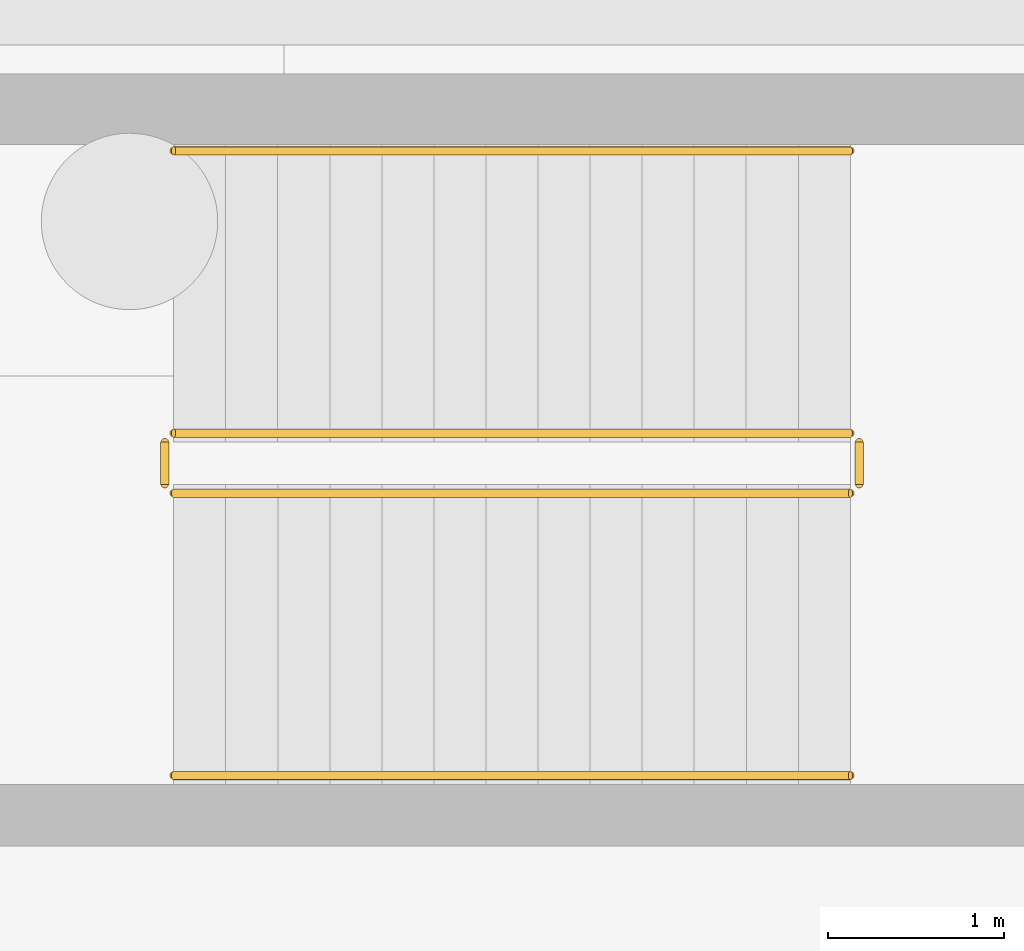
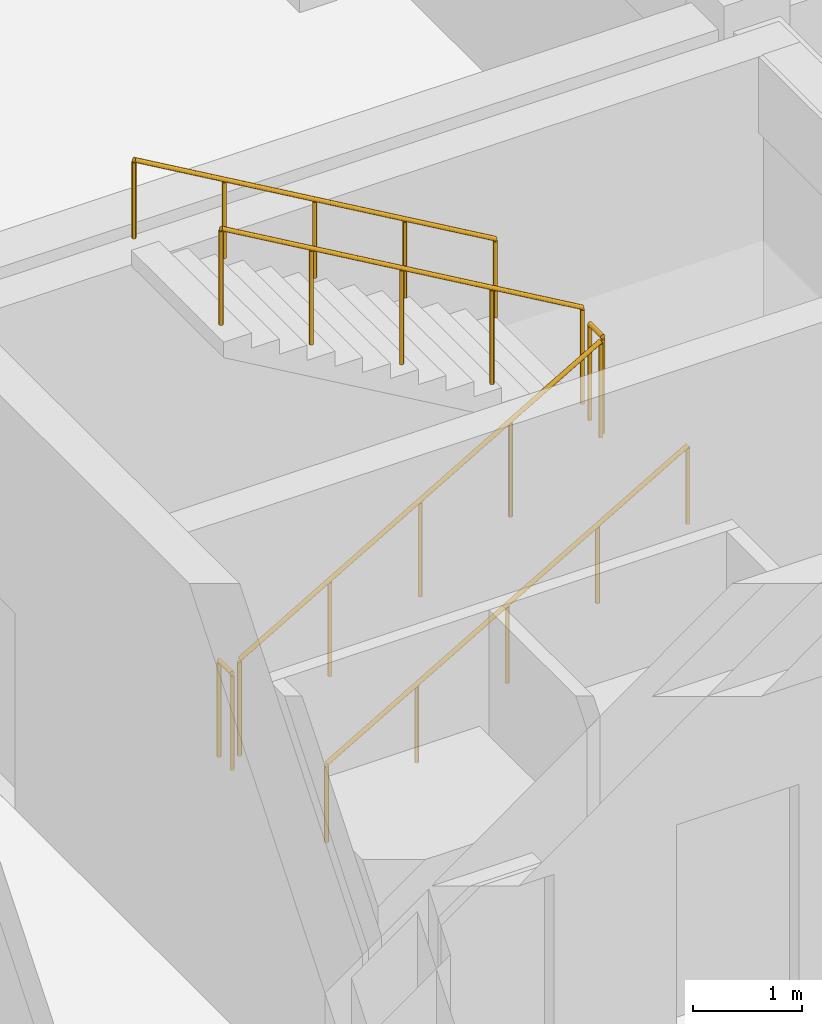
# One storey, part 31 of 35: 6 railings.
"""IFC4 building model written with IfcOpenShell, lengths in metres."""

from ifc_helpers import new_model, si_unit, direction, frame, origin, origin_2d, place, context, subcontext, project, spatial, circle, extrude, material, type_object, element, save


model = new_model("IFC4")

# Units and contexts
model_context = context("Model", 3, precision=1e-05, world=origin(), true_north=direction((0.0, 1.0)))
body_context = subcontext(model_context, "Body", "Model", "MODEL_VIEW")
ifc_project = project(units=[si_unit("LENGTHUNIT", "METRE"), si_unit("AREAUNIT", "SQUARE_METRE"), si_unit("VOLUMEUNIT", "CUBIC_METRE"), si_unit("PLANEANGLEUNIT", "RADIAN"), si_unit("MASSUNIT", "GRAM", prefix="KILO")], contexts=[model_context])

# Site, building, storey
site_placement = place(None, origin())
site = spatial("IfcSite", under=ifc_project, at=site_placement, CompositionType="ELEMENT")
building_placement = place(site_placement, origin())
building = spatial("IfcBuilding", under=site, at=building_placement, Name="Zayran Congress Hotel", CompositionType="ELEMENT")
storey_placement = place(building_placement, frame((0.0, 0.0, -4.800048828125)))
storey = spatial("IfcBuildingStorey", under=building, at=storey_placement, Name="B1", CompositionType="ELEMENT", Elevation=-4.800048828125)

# Railings
ifc_material_1 = material(Name="Painted steel balustrade", Category="steel")
railing_type_1 = type_object("IfcRailingType", Name="TP-GRD-INT", PredefinedType="GUARDRAIL", material=ifc_material_1)
railing_1_placement = place(storey_placement, frame((119.10009765625, 90.010009765625, 0.17138671875)))
element("IfcRailing", 1, at=railing_1_placement, inside=storey, type_object=railing_type_1, Name="B1 ST-07 stair guard 1", PredefinedType="GUARDRAIL", context=body_context, shape_type="SweptSolid", body=[
    extrude(circle(Radius=0.02392578125, at=origin_2d()), frame((0.0, 0.0, 1.076171875), z_axis=(0.864592272851, 0.0, 0.502474080651), x_axis=(0.0, 1.0, 0.0)), (0.0, 0.0, 1.0), 4.435546875),
    extrude(circle(Radius=0.02099609375, at=origin_2d()), origin(), (0.0, 0.0, 1.0), 1.052001953125),
    extrude(circle(Radius=0.02099609375, at=origin_2d()), frame((0.958740234375, 0.0, 0.55712890625)), (0.0, 0.0, 1.0), 1.052001953125),
    extrude(circle(Radius=0.02099609375, at=origin_2d()), frame((1.91748046875, 0.0, 1.1142578125)), (0.0, 0.0, 1.0), 1.052001953125),
    extrude(circle(Radius=0.02099609375, at=origin_2d()), frame((2.876220703125, 0.0, 1.671630859375)), (0.0, 0.0, 1.0), 1.052001953125),
    extrude(circle(Radius=0.02099609375, at=origin_2d()), frame((3.8349609375, 0.0, 2.228759765625)), (0.0, 0.0, 1.0), 1.052001953125),
])
railing_2_placement = place(storey_placement, frame((122.985107421875, 90.06005859375, 2.400146484375)))
element("IfcRailing", 2, at=railing_2_placement, inside=storey, type_object=railing_type_1, Name="B1 ST-07 stair guard 2", PredefinedType="GUARDRAIL", context=body_context, shape_type="SweptSolid", body=[
    extrude(circle(Radius=0.02392578125, at=origin_2d()), frame((0.0, 0.0, 1.076171875), z_axis=(0.0, 1.0, 0.0), x_axis=(-1.0, 0.0, 0.0)), (0.0, 0.0, 1.0), 0.239990234375),
    extrude(circle(Radius=0.02099609375, at=origin_2d()), origin(), (0.0, 0.0, 1.0), 1.052001953125),
    extrude(circle(Radius=0.02099609375, at=origin_2d()), frame((0.0, 0.239990234375, 0.0)), (0.0, 0.0, 1.0), 1.052001953125),
])
railing_3_placement = place(storey_placement, frame((122.93505859375, 90.35009765625, 2.571533203125)))
element("IfcRailing", 3, at=railing_3_placement, inside=storey, type_object=railing_type_1, Name="B1 ST-07 stair guard 3", PredefinedType="GUARDRAIL", context=body_context, shape_type="SweptSolid", body=[
    extrude(circle(Radius=0.02392578125, at=origin_2d()), frame((0.0, 0.0, 1.076171875), z_axis=(-0.86461618451, 0.0, 0.502432934314), x_axis=(0.0, -1.0, 0.0)), (0.0, 0.0, 1.0), 4.435546875),
    extrude(circle(Radius=0.02099609375, at=origin_2d()), origin(), (0.0, 0.0, 1.0), 1.052001953125),
    extrude(circle(Radius=0.02099609375, at=origin_2d()), frame((-0.958740234375, 0.0, 0.55712890625)), (0.0, 0.0, 1.0), 1.052001953125),
    extrude(circle(Radius=0.02099609375, at=origin_2d()), frame((-1.91748046875, 0.0, 1.1142578125)), (0.0, 0.0, 1.0), 1.052001953125),
    extrude(circle(Radius=0.02099609375, at=origin_2d()), frame((-2.876220703125, 0.0, 1.67138671875)), (0.0, 0.0, 1.0), 1.052001953125),
    extrude(circle(Radius=0.02099609375, at=origin_2d()), frame((-3.8349609375, 0.0, 2.228515625)), (0.0, 0.0, 1.0), 1.052001953125),
])
railing_4_placement = place(storey_placement, frame((119.050048828125, 90.06005859375, 0.0)))
element("IfcRailing", 4, at=railing_4_placement, inside=storey, type_object=railing_type_1, Name="B1 ST-07 stair guard 4", PredefinedType="GUARDRAIL", context=body_context, shape_type="SweptSolid", body=[
    extrude(circle(Radius=0.02392578125, at=origin_2d()), frame((0.0, 0.0, 1.076171875), z_axis=(0.0, 1.0, 0.0), x_axis=(-1.0, 0.0, 0.0)), (0.0, 0.0, 1.0), 0.239990234375),
    extrude(circle(Radius=0.02099609375, at=origin_2d()), origin(), (0.0, 0.0, 1.0), 1.052001953125),
    extrude(circle(Radius=0.02099609375, at=origin_2d()), frame((0.0, 0.239990234375, 0.0)), (0.0, 0.0, 1.0), 1.052001953125),
])
ifc_material_2 = material(Name="Brushed stainless steel handrail", Category="steel")
railing_type_2 = type_object("IfcRailingType", Name="TP-HND-STR", PredefinedType="HANDRAIL", material=ifc_material_2)
railing_5_placement = place(storey_placement, frame((119.10009765625, 88.409912109375, 0.17138671875)))
element("IfcRailing", 5, at=railing_5_placement, inside=storey, type_object=railing_type_2, Name="B1 ST-07 stair handrail 1", PredefinedType="HANDRAIL", context=body_context, shape_type="SweptSolid", body=[
    extrude(circle(Radius=0.02392578125, at=origin_2d()), frame((0.0, 0.0, 0.8759765625), z_axis=(0.864592272851, 0.0, 0.502474080651), x_axis=(0.0, 1.0, 0.0)), (0.0, 0.0, 1.0), 4.435546875),
    extrude(circle(Radius=0.02099609375, at=origin_2d()), origin(), (0.0, 0.0, 1.0), 0.851806640625),
    extrude(circle(Radius=0.02099609375, at=origin_2d()), frame((0.958740234375, 0.0, 0.55712890625)), (0.0, 0.0, 1.0), 0.851806640625),
    extrude(circle(Radius=0.02099609375, at=origin_2d()), frame((1.91748046875, 0.0, 1.1142578125)), (0.0, 0.0, 1.0), 0.851806640625),
    extrude(circle(Radius=0.02099609375, at=origin_2d()), frame((2.876220703125, 0.0, 1.671630859375)), (0.0, 0.0, 1.0), 0.851806640625),
    extrude(circle(Radius=0.02099609375, at=origin_2d()), frame((3.8349609375, 0.0, 2.228759765625)), (0.0, 0.0, 1.0), 0.851806640625),
])
railing_6_placement = place(storey_placement, frame((122.93505859375, 91.949951171875, 2.571533203125)))
element("IfcRailing", 6, at=railing_6_placement, inside=storey, type_object=railing_type_2, Name="B1 ST-07 stair handrail 2", PredefinedType="HANDRAIL", context=body_context, shape_type="SweptSolid", body=[
    extrude(circle(Radius=0.02392578125, at=origin_2d()), frame((0.0, 0.0, 0.8759765625), z_axis=(-0.86461618451, 0.0, 0.502432934314), x_axis=(0.0, -1.0, 0.0)), (0.0, 0.0, 1.0), 4.435546875),
    extrude(circle(Radius=0.02099609375, at=origin_2d()), origin(), (0.0, 0.0, 1.0), 0.851806640625),
    extrude(circle(Radius=0.02099609375, at=origin_2d()), frame((-0.958740234375, 0.0, 0.55712890625)), (0.0, 0.0, 1.0), 0.851806640625),
    extrude(circle(Radius=0.02099609375, at=origin_2d()), frame((-1.91748046875, 0.0, 1.1142578125)), (0.0, 0.0, 1.0), 0.851806640625),
    extrude(circle(Radius=0.02099609375, at=origin_2d()), frame((-2.876220703125, 0.0, 1.67138671875)), (0.0, 0.0, 1.0), 0.851806640625),
    extrude(circle(Radius=0.02099609375, at=origin_2d()), frame((-3.8349609375, 0.0, 2.228515625)), (0.0, 0.0, 1.0), 0.851806640625),
])

save(model, "model.ifc")
